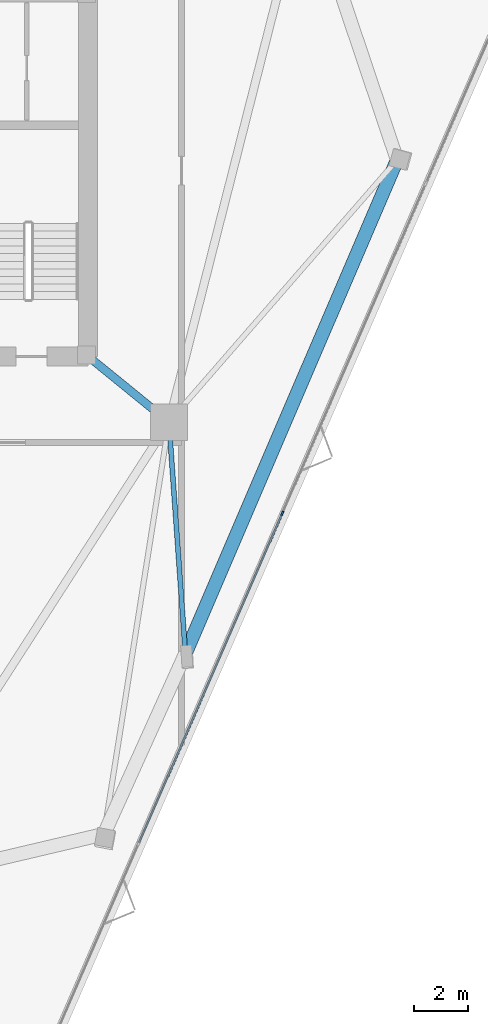
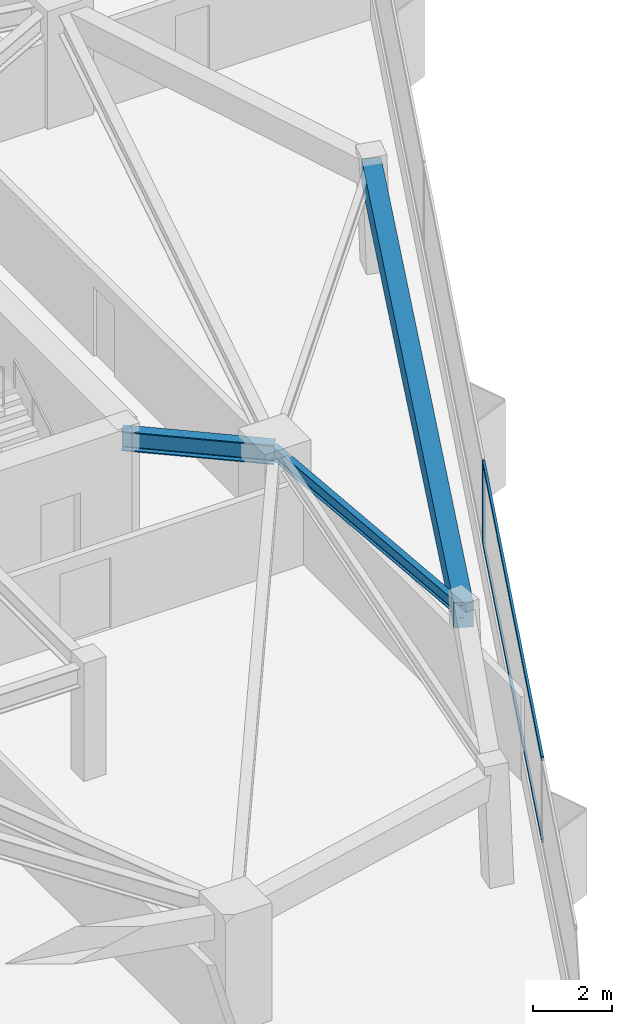
# One storey, part 4 of 12: 3 beams, 3 members, 1 element without a shape of its own.
"""IFC4 building model written with IfcOpenShell, lengths in metres."""

from ifc_helpers import new_model, si_unit, direction, frame, origin, origin_2d, place, context, subcontext, project, spatial, rectangle, i_section, extrude, material, layer, layer_set, material_profile, profile_set, type_object, element, aggregate, save


model = new_model("IFC4")

# Units and contexts
model_context = context("Model", 3, precision=1e-05, world=origin(), true_north=direction((0.0, 1.0)))
body_context = subcontext(model_context, "Body", "Model", "MODEL_VIEW")
ifc_project = project(units=[si_unit("LENGTHUNIT", "METRE"), si_unit("AREAUNIT", "SQUARE_METRE"), si_unit("VOLUMEUNIT", "CUBIC_METRE"), si_unit("PLANEANGLEUNIT", "RADIAN"), si_unit("MASSUNIT", "GRAM", prefix="KILO")], contexts=[model_context])

# Site, building, storey
site_placement = place(None, origin())
site = spatial("IfcSite", under=ifc_project, at=site_placement, CompositionType="ELEMENT")
building_placement = place(site_placement, origin())
building = spatial("IfcBuilding", under=site, at=building_placement, Name="Talyreon Biosciences Tower", CompositionType="ELEMENT")
storey_placement = place(building_placement, frame((0.0, 0.0, 197.64990234375)))
storey = spatial("IfcBuildingStorey", under=building, at=storey_placement, Name="L52", CompositionType="ELEMENT", Elevation=197.64990234375)

# Curtain wall, members
ifc_material_1 = material(Name="Thermally broken aluminium and low-E glazing", Category="aluminium")
ifc_layer = layer(ifc_material_1, 0.179931640625)
ifc_layer_set = layer_set([ifc_layer], Name="Thermally broken aluminium and low-E glazing")
curtain_wall_type = type_object("IfcCurtainWallType", Name="CurtainWall_Zone4Optical", PredefinedType="NOTDEFINED", material=ifc_layer_set)
curtain_wall_placement = place(storey_placement, origin())
curtain_wall = element("IfcCurtainWall", 1, at=curtain_wall_placement, inside=storey, type_object=curtain_wall_type, Name="L52 Unitised Curtain Wall FCW-L52-08", PredefinedType="NOTDEFINED")
ifc_material_2 = material(Name="Anodised thermally broken aluminium", Category="aluminium")
ifc_material_profile_1 = material_profile(ifc_material_2, rectangle(XDim=0.06494140625, YDim=0.179931640625, at=origin_2d()), Name="ALUM MULLION 65x180")
ifc_profile_set_1 = profile_set([ifc_material_profile_1], Name="Anodised thermally broken aluminium")
member_type_1 = type_object("IfcMemberType", Name="CWMullion_65x180", PredefinedType="MULLION", material=ifc_profile_set_1)
member_1_placement = place(storey_placement, frame((81.260498046875, 55.51953125, 0.81005859375), z_axis=(0.0, 0.0, 1.0), x_axis=(0.917010897502, -0.398862148946, 0.0)))
member_1 = element("IfcMember", 2, at=member_1_placement, type_object=member_type_1, Name="CW5 mullion 3", PredefinedType="MULLION", context=body_context, shape_type="SweptSolid", body=[
    extrude(rectangle(XDim=0.06494140625, YDim=0.179931640625, at=origin_2d()), origin(), (0.0, 0.0, 1.0), 2.590087890625),
])
ifc_material_profile_2 = material_profile(ifc_material_2, rectangle(XDim=0.06494140625, YDim=0.139892578125, at=origin_2d()), Name="ALUM TRANSOM 65x140")
ifc_profile_set_2 = profile_set([ifc_material_profile_2], Name="Anodised thermally broken aluminium")
member_type_2 = type_object("IfcMemberType", Name="CWTransom_65x140", PredefinedType="USERDEFINED", material=ifc_profile_set_2)
member_2_placement = place(storey_placement, frame((81.24755859375, 55.48974609375, 0.842529296875), z_axis=(-0.398865642927, -0.917009377756, 0.0), x_axis=(0.917009377756, -0.398865642927, 0.0)))
member_2 = element("IfcMember", 3, at=member_2_placement, type_object=member_type_2, Name="CW5 transom 3.1", ObjectType="TRANSOM", PredefinedType="USERDEFINED", context=body_context, shape_type="SweptSolid", body=[
    extrude(rectangle(XDim=0.06494140625, YDim=0.139892578125, at=origin_2d()), origin(), (0.0, 0.0, 1.0), 13.179443359375),
])
member_3_placement = place(storey_placement, frame((81.24755859375, 55.48974609375, 3.36767578125), z_axis=(-0.398865642927, -0.917009377756, 0.0), x_axis=(0.917009377756, -0.398865642927, 0.0)))
member_3 = element("IfcMember", 4, at=member_3_placement, type_object=member_type_2, Name="CW5 transom 3.2", ObjectType="TRANSOM", PredefinedType="USERDEFINED", context=body_context, shape_type="SweptSolid", body=[
    extrude(rectangle(XDim=0.06494140625, YDim=0.139892578125, at=origin_2d()), origin(), (0.0, 0.0, 1.0), 13.179443359375),
])
aggregate(curtain_wall, [member_1, member_2, member_3])

# Beams
ifc_material_3 = material(Name="Precast concrete C45/55", Category="concrete")
ifc_material_profile_3 = material_profile(ifc_material_3, rectangle(XDim=0.5, YDim=0.780029296875, at=origin_2d()), Name="RCB 500x780")
ifc_profile_set_3 = profile_set([ifc_material_profile_3], Name="Precast concrete C45/55")
beam_type_1 = type_object("IfcBeamType", Name="ExpressedSpandrel_500x780", PredefinedType="SPANDREL", material=ifc_profile_set_3)
beam_1_placement = place(storey_placement, frame((77.6923828125, 50.356201171875, 3.010009765625), z_axis=(0.394063787839, 0.919083092606, 0.0), x_axis=(-0.919083092606, 0.394063787839, 0.0)))
element("IfcBeam", 5, at=beam_1_placement, inside=storey, type_object=beam_type_1, Name="L52 Expressed Horizontal Concrete Spandrel 03", PredefinedType="SPANDREL", context=body_context, shape_type="SweptSolid", body=[
    extrude(rectangle(XDim=0.5, YDim=0.780029296875, at=origin_2d()), origin(), (0.0, 0.0, 1.0), 19.7802734375),
])
ifc_material_4 = material(Name="Steel SM355", Category="steel")
ifc_material_profile_4 = material_profile(ifc_material_4, i_section(OverallWidth=0.300048828125, OverallDepth=0.60009765625, WebThickness=0.015380859375, FlangeThickness=0.030029296875, FilletRadius=0.027099609375, at=origin_2d()), Name="HE600B")
ifc_profile_set_4 = profile_set([ifc_material_profile_4], Name="Steel SM355")
beam_type_2 = type_object("IfcBeamType", Name="SteelBeam_HE600B", PredefinedType="BEAM", material=ifc_profile_set_4)
beam_2_placement = place(storey_placement, frame((74.050048828125, 61.35009765625, 3.10009765625), z_axis=(0.775755154013, -0.631034025249, 0.0), x_axis=(0.631034025249, 0.775755154013, 0.0)))
element("IfcBeam", 6, at=beam_2_placement, inside=storey, type_object=beam_type_2, Name="L52 Radial Primary Girder 2", PredefinedType="BEAM", context=body_context, shape_type="SweptSolid", body=[
    extrude(i_section(OverallWidth=0.300048828125, OverallDepth=0.60009765625, WebThickness=0.015380859375, FlangeThickness=0.030029296875, FilletRadius=0.027099609375, at=origin_2d()), origin(), (0.0, 0.0, 1.0), 3.913818359375),
])
ifc_material_profile_5 = material_profile(ifc_material_4, i_section(OverallWidth=0.179931640625, OverallDepth=0.39990234375, WebThickness=0.008544921875, FlangeThickness=0.013427734375, FilletRadius=0.02099609375, at=origin_2d()), Name="IPE400")
ifc_profile_set_5 = profile_set([ifc_material_profile_5], Name="Steel SM355")
beam_type_3 = type_object("IfcBeamType", Name="SteelJoist_IPE400", PredefinedType="JOIST", material=ifc_profile_set_5)
beam_3_placement = place(storey_placement, frame((77.086181640625, 58.88037109375, 3.1201171875), z_axis=(0.070936414845, -0.997480839439, 0.0), x_axis=(0.997480839439, 0.070936414845, 0.0)))
element("IfcBeam", 7, at=beam_3_placement, inside=storey, type_object=beam_type_3, Name="L52 Radial Composite Floor Joist PL-SE", PredefinedType="JOIST", context=body_context, shape_type="SweptSolid", body=[
    extrude(i_section(OverallWidth=0.179931640625, OverallDepth=0.39990234375, WebThickness=0.008544921875, FlangeThickness=0.013427734375, FilletRadius=0.02099609375, at=origin_2d()), origin(), (0.0, 0.0, 1.0), 8.545654296875),
])

save(model, "model.ifc")
